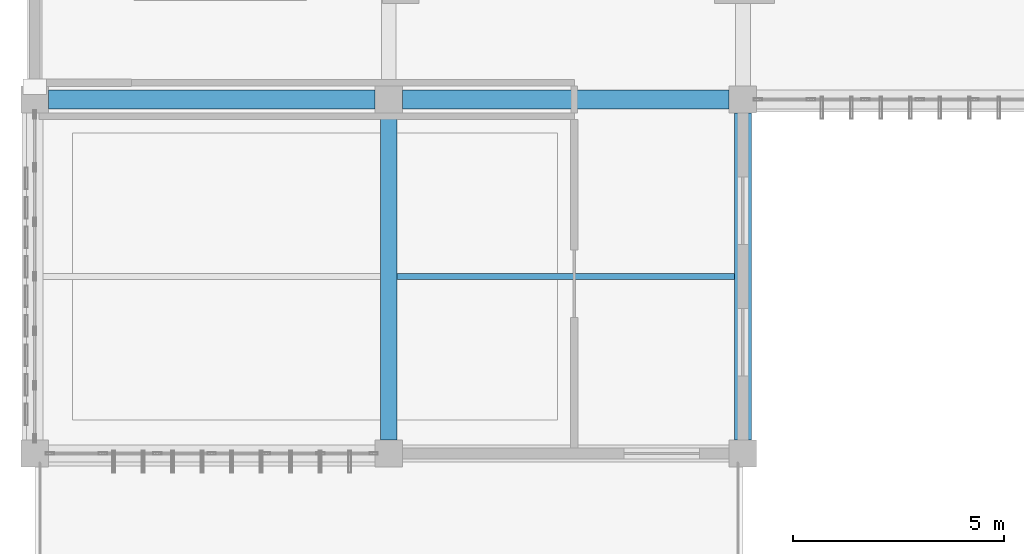
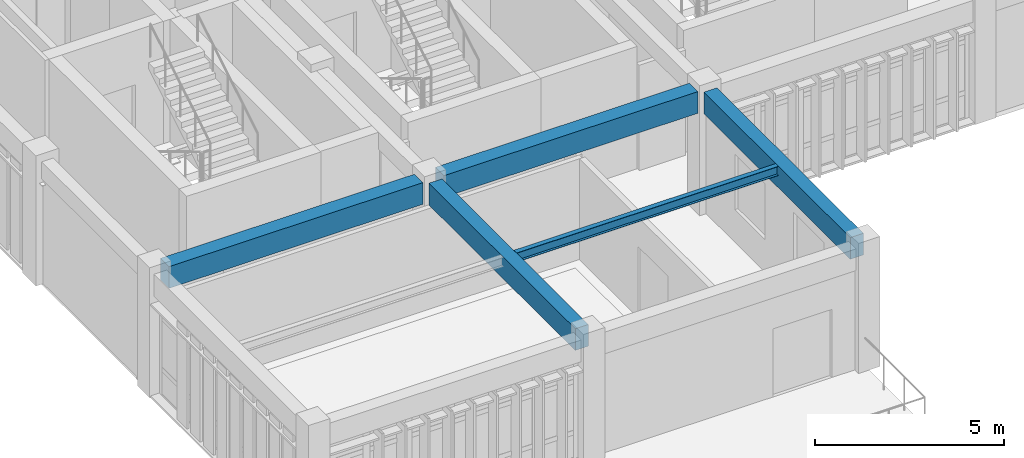
# One storey, part 6 of 23: 5 beams.
"""IFC4 building model written with IfcOpenShell, lengths in metres."""

import ifcopenshell
import ifcopenshell.guid

model = None  # the IFC model being written
_history = None  # IfcOwnerHistory: only IFC2X3 demands one
_inside = {}  # id of a spatial element -> (the spatial element, [elements in it])
_under = {}  # id of a project, library or spatial element -> (it, [spatial elements below it])
_declared = {}  # id of a project -> (the project, [libraries it declares])
_typed = {}  # id of a type object -> (the type object, [elements of that type])
_made_of = {}  # id of a material, layer set ... -> (it, [elements and type objects made of it])


def new_model(schema):
    """Start an empty IFC model of exactly this schema.

    Asked for "IFC4X3", IfcOpenShell would pick the latest addendum, in which some entities
    have other attributes; the version numbers below select the first issue.
    IFC2X3 requires an IfcOwnerHistory on every rooted entity: one is made here for all.
    """
    global model, _history
    if schema == "IFC4X3":
        model = ifcopenshell.file(schema_version=(4, 3, 0, 0))
    else:
        model = ifcopenshell.file(schema=schema)
    _inside.clear()
    _under.clear()
    _declared.clear()
    _typed.clear()
    _made_of.clear()
    _history = None
    if model.schema == "IFC2X3":
        org = make("IfcOrganization", Name="unknown")
        user = make(
            "IfcPersonAndOrganization",
            ThePerson=make("IfcPerson", FamilyName="unknown"),
            TheOrganization=org,
        )
        app = make(
            "IfcApplication",
            ApplicationDeveloper=org,
            Version="unknown",
            ApplicationFullName="unknown",
            ApplicationIdentifier="unknown",
        )
        _history = make(
            "IfcOwnerHistory",
            OwningUser=user,
            OwningApplication=app,
            ChangeAction="ADDED",
            CreationDate=0,
        )
    return model


def make(cls, **values):
    """One entity of the class cls with the attributes given. An attribute that is None is left unset."""
    return model.create_entity(
        cls, **{name: value for name, value in values.items() if value is not None}
    )


def rooted(cls, **values):
    """An entity with a GlobalId (a new one), such as an element, a storey or a relation."""
    return make(cls, GlobalId=ifcopenshell.guid.new(), OwnerHistory=_history, **values)


def si_unit(unit_type, name, prefix=None):
    """IfcSIUnit, for example si_unit("LENGTHUNIT", "METRE", prefix="MILLI")."""
    return make("IfcSIUnit", UnitType=unit_type, Prefix=prefix, Name=name)


def assignment(units):
    """IfcUnitAssignment: the units of a project."""
    return None if units is None else make("IfcUnitAssignment", Units=units)


def point(xyz):
    """IfcCartesianPoint."""
    return None if xyz is None else make("IfcCartesianPoint", Coordinates=xyz)


def direction(xyz):
    """IfcDirection."""
    return None if xyz is None else make("IfcDirection", DirectionRatios=xyz)


def frame(location, z_axis=None, x_axis=None):
    """IfcAxis2Placement3D, a coordinate frame: its origin and axes. An axis left out is left unset."""
    return make(
        "IfcAxis2Placement3D",
        Location=point(location),
        Axis=direction(z_axis),
        RefDirection=direction(x_axis),
    )


def frame_2d(location, x_axis=None):
    """IfcAxis2Placement2D, a coordinate frame in the plane: its origin and x axis."""
    return make(
        "IfcAxis2Placement2D", Location=point(location), RefDirection=direction(x_axis)
    )


def origin():
    """The frame at (0, 0, 0) with its axes left unset."""
    return frame((0.0, 0.0, 0.0))


def origin_2d():
    """The frame at (0, 0) in the plane with its x axis left unset."""
    return frame_2d((0.0, 0.0))


def place(relative_to, where):
    """IfcLocalPlacement: puts the frame where relative to a parent placement (None: the world)."""
    return make(
        "IfcLocalPlacement", PlacementRelTo=relative_to, RelativePlacement=where
    )


def context(
    kind, dimensions, precision=None, world=None, true_north=None, identifier=None
):
    """IfcGeometricRepresentationContext, for example the 3D "Model" context."""
    return make(
        "IfcGeometricRepresentationContext",
        ContextIdentifier=identifier,
        ContextType=kind,
        CoordinateSpaceDimension=dimensions,
        Precision=precision,
        WorldCoordinateSystem=world,
        TrueNorth=true_north,
    )


def subcontext(parent, identifier, kind, view, scale=None):
    """IfcGeometricRepresentationSubContext, for example "Body" below "Model"."""
    return make(
        "IfcGeometricRepresentationSubContext",
        ContextIdentifier=identifier,
        ContextType=kind,
        ParentContext=parent,
        TargetScale=scale,
        TargetView=view,
    )


def project(units=None, contexts=None):
    """IfcProject with its units and contexts."""
    return rooted(
        "IfcProject",
        Name="project",
        RepresentationContexts=contexts,
        UnitsInContext=assignment(units),
    )


def spatial(cls, under=None, at=None, **own):
    """A site, building, storey or space (cls), placed at a placement, below another one or the project."""
    s = rooted(cls, ObjectPlacement=at, **own)
    if under is not None:
        _under.setdefault(under.id(), (under, []))[1].append(s)
    return s


def profile(cls, at=None, kind="AREA", **sizes):
    """A parametric profile (cls). Its sizes go by their IFC names, for example OverallWidth=200.0."""
    return make(cls, ProfileType=kind, Position=at, **sizes)


def rectangle(**sizes):
    """IfcRectangleProfileDef."""
    return profile("IfcRectangleProfileDef", **sizes)


def i_section(**sizes):
    """IfcIShapeProfileDef."""
    return profile("IfcIShapeProfileDef", **sizes)


def extrude(swept, where, along, depth):
    """IfcExtrudedAreaSolid: the profile swept, set in the frame where, extruded along a direction by depth."""
    return make(
        "IfcExtrudedAreaSolid",
        SweptArea=swept,
        Position=where,
        ExtrudedDirection=direction(along),
        Depth=depth,
    )


def shape(context_of_items, identifier, shape_type, items):
    """IfcShapeRepresentation: the items that make up one representation, for example the "Body"."""
    return make(
        "IfcShapeRepresentation",
        ContextOfItems=context_of_items,
        RepresentationIdentifier=identifier,
        RepresentationType=shape_type,
        Items=items,
    )


def material(Name=None, Category=None):
    """IfcMaterial."""
    return make("IfcMaterial", Name=Name, Category=Category)


def material_profile(
    of_material, cross_section, Name=None, Category=None, Priority=None
):
    """IfcMaterialProfile: a cross section and its material."""
    return make(
        "IfcMaterialProfile",
        Name=Name,
        Material=of_material,
        Profile=cross_section,
        Priority=Priority,
        Category=Category,
    )


def profile_set(profiles, Name=None, composite=None):
    """IfcMaterialProfileSet."""
    return make(
        "IfcMaterialProfileSet",
        Name=Name,
        MaterialProfiles=profiles,
        CompositeProfile=composite,
    )


def made_of(thing, what):
    """Note that an element or type object is made of a material, layer set ...; save() writes the relation."""
    if what is not None:
        _made_of.setdefault(what.id(), (what, []))[1].append(thing)
    return thing


def type_object(cls, material=None, **own):
    """A type object (cls), such as IfcWallType, which elements share."""
    return made_of(rooted(cls, **own), material)


def element(
    cls,
    number,
    at=None,
    inside=None,
    cuts=None,
    type_object=None,
    material=None,
    context=None,
    identifier="Body",
    shape_type=None,
    held_by="IfcProductDefinitionShape",
    body=None,
    shapes=None,
    **own,
):
    """One element of the class cls, such as IfcWall. Its Tag is "e" and its number.

    at: its placement. inside: the storey or other place that contains it. cuts: it is an
    opening in that element (IfcRelVoidsElement). A single representation is given by context,
    identifier, shape_type and body (its items); several are given by shapes. held_by: the class
    of the entity that holds the representations. save() writes the other relations.
    """
    e = rooted(cls, Tag="e%d" % number, ObjectPlacement=at, **own)
    if body is not None:
        shapes = [shape(context, identifier, shape_type, body)]
    if shapes is not None:
        e.Representation = make(held_by, Representations=shapes)
    if inside is not None:
        _inside.setdefault(inside.id(), (inside, []))[1].append(e)
    if cuts is not None:
        rooted(
            "IfcRelVoidsElement", RelatingBuildingElement=cuts, RelatedOpeningElement=e
        )
    if type_object is not None:
        _typed.setdefault(type_object.id(), (type_object, []))[1].append(e)
    return made_of(e, material)


def aggregate(whole, parts):
    """IfcRelAggregates: a whole, such as a stair, and the parts it consists of."""
    return rooted("IfcRelAggregates", RelatingObject=whole, RelatedObjects=parts)


def save(model, path):
    """Write the relations noted so far, then the file.

    IfcRelAggregates (storeys below a building ...), IfcRelContainedInSpatialStructure (elements
    in a storey), IfcRelDefinesByType, IfcRelAssociatesMaterial and IfcRelDeclares: one each for
    every whole, place, type object, material and project.
    """
    for whole, parts in _under.values():
        aggregate(whole, parts)
    for where, things in _inside.values():
        rooted(
            "IfcRelContainedInSpatialStructure",
            RelatedElements=things,
            RelatingStructure=where,
        )
    for kind, things in _typed.values():
        rooted("IfcRelDefinesByType", RelatedObjects=things, RelatingType=kind)
    for what, things in _made_of.values():
        rooted("IfcRelAssociatesMaterial", RelatedObjects=things, RelatingMaterial=what)
    for by, libraries in _declared.values():
        rooted("IfcRelDeclares", RelatingContext=by, RelatedDefinitions=libraries)
    model.write(path)


model = new_model("IFC4")

# Units and contexts
model_context = context("Model", 3, precision=1e-05, world=origin(), true_north=direction((0.0, 1.0)))
body_context = subcontext(model_context, "Body", "Model", "MODEL_VIEW")
ifc_project = project(units=[si_unit("LENGTHUNIT", "METRE"), si_unit("AREAUNIT", "SQUARE_METRE"), si_unit("VOLUMEUNIT", "CUBIC_METRE"), si_unit("PLANEANGLEUNIT", "RADIAN"), si_unit("MASSUNIT", "GRAM", prefix="KILO")], contexts=[model_context])

# Site, building, storey
site_placement = place(None, origin())
site = spatial("IfcSite", under=ifc_project, at=site_placement, CompositionType="ELEMENT")
building_placement = place(site_placement, origin())
building = spatial("IfcBuilding", under=site, at=building_placement, Name="Krzemoval Escarpment Law Courts", CompositionType="ELEMENT")
storey_placement = place(building_placement, frame((0.0, 0.0, 25.199951171875)))
storey = spatial("IfcBuildingStorey", under=building, at=storey_placement, Name="L05", CompositionType="ELEMENT", Elevation=25.199951171875)

# Beams
ifc_material_1 = material(Name="Concrete C40/50", Category="concrete")
ifc_material_profile_1 = material_profile(ifc_material_1, rectangle(XDim=0.39990234375, YDim=0.699951171875, at=origin_2d()), Name="RCB 400x700")
ifc_profile_set_1 = profile_set([ifc_material_profile_1], Name="Concrete C40/50")
beam_type_1 = type_object("IfcBeamType", Name="BM-RC-400x700", PredefinedType="BEAM", material=ifc_profile_set_1)
for number, where, z_axis, x_axis, name in (
    (1, (134.39990234375, 85.52490234375, 3.60009765625), (0.0, 1.0, 0.0), (-1.0, 0.0, 0.0), "Beam FG-L05-2602"),
    (2, (142.800048828125, 85.52490234375, 3.60009765625), (0.0, 1.0, 0.0), (-1.0, 0.0, 0.0), "Beam FG-L05-2607"),
):
    element("IfcBeam", number, at=place(storey_placement, frame(where, z_axis=z_axis, x_axis=x_axis)), inside=storey, type_object=beam_type_1, Name=name, PredefinedType="BEAM", context=body_context, shape_type="SweptSolid", body=[
        extrude(rectangle(XDim=0.39990234375, YDim=0.699951171875, at=origin_2d()), origin(), (0.0, 0.0, 1.0), 7.75),
    ])
ifc_material_2 = material(Name="Concrete C40/50", Category="concrete")
ifc_material_profile_2 = material_profile(ifc_material_2, rectangle(XDim=0.449951171875, YDim=0.699951171875, at=origin_2d()), Name="RCB 450x700")
ifc_profile_set_2 = profile_set([ifc_material_profile_2], Name="Concrete C40/50")
beam_type_2 = type_object("IfcBeamType", Name="BM-RC-450x700", PredefinedType="BEAM", material=ifc_profile_set_2)
for number, where, z_axis, x_axis, name in (
    (3, (126.324951171875, 93.60009765625, 3.60009765625), (1.0, 0.0, 0.0), (0.0, 1.0, 0.0), "Beam FG-L05-2568"),
    (4, (134.72509765625, 93.60009765625, 3.60009765625), (1.0, 0.0, 0.0), (0.0, 1.0, 0.0), "Beam FG-L05-2569"),
):
    element("IfcBeam", number, at=place(storey_placement, frame(where, z_axis=z_axis, x_axis=x_axis)), inside=storey, type_object=beam_type_2, Name=name, PredefinedType="BEAM", context=body_context, shape_type="SweptSolid", body=[
        extrude(rectangle(XDim=0.449951171875, YDim=0.699951171875, at=origin_2d()), origin(), (0.0, 0.0, 1.0), 7.75),
    ])
ifc_material_3 = material(Name="Steel S355", Category="steel")
ifc_material_profile_3 = material_profile(ifc_material_3, i_section(OverallWidth=0.14990234375, OverallDepth=0.300048828125, WebThickness=0.007080078125, FlangeThickness=0.0107421875, at=origin_2d()), Name="IPE 300")
ifc_profile_set_3 = profile_set([ifc_material_profile_3], Name="Steel S355")
beam_type_3 = type_object("IfcBeamType", Name="JST-S355-IPE300", PredefinedType="JOIST", material=ifc_profile_set_3)
beam_placement = place(storey_placement, frame((134.60009765625, 89.39990234375, 3.800048828125), z_axis=(1.0, 0.0, 0.0), x_axis=(0.0, 1.0, 0.0)))
element("IfcBeam", 5, at=beam_placement, inside=storey, type_object=beam_type_3, Name="Secondary Joist FJ-L05-2633", PredefinedType="JOIST", context=body_context, shape_type="SweptSolid", body=[
    extrude(i_section(OverallWidth=0.14990234375, OverallDepth=0.300048828125, WebThickness=0.007080078125, FlangeThickness=0.0107421875, at=origin_2d()), origin(), (0.0, 0.0, 1.0), 8.0),
])

save(model, "model.ifc")
